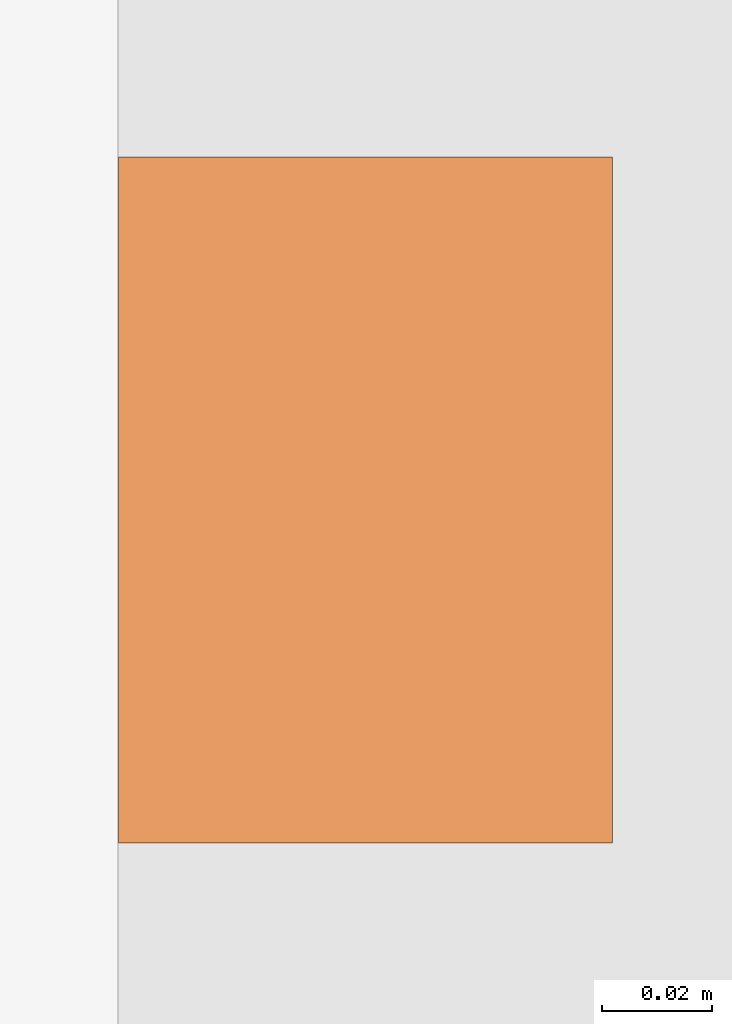
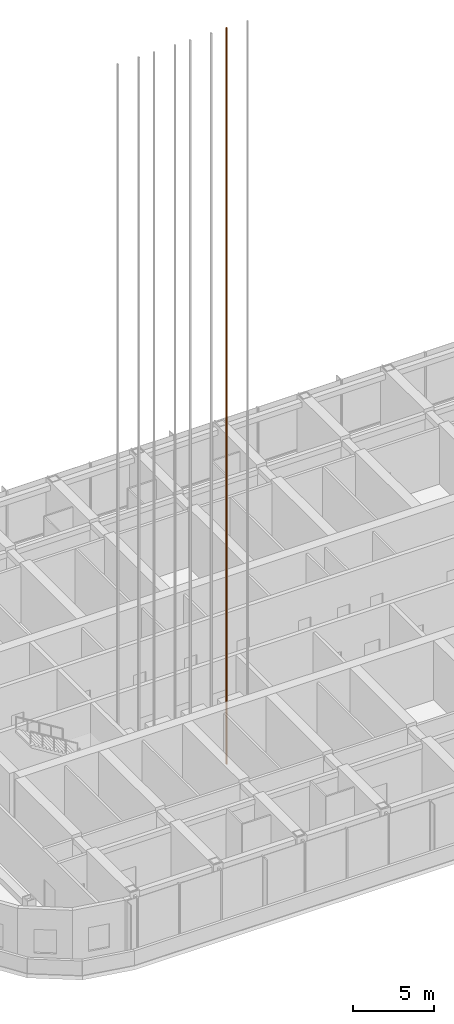
# One storey, part 34 of 35: 1 proxy.
"""IFC4 building model written with IfcOpenShell, lengths in metres."""

from ifc_helpers import new_model, si_unit, direction, frame, origin, origin_2d, place, context, subcontext, project, spatial, rectangle, extrude, material, element, save


model = new_model("IFC4")

# Units and contexts
model_context = context("Model", 3, precision=1e-05, world=origin(), true_north=direction((0.0, 1.0)))
body_context = subcontext(model_context, "Body", "Model", "MODEL_VIEW")
ifc_project = project(units=[si_unit("LENGTHUNIT", "METRE"), si_unit("AREAUNIT", "SQUARE_METRE"), si_unit("VOLUMEUNIT", "CUBIC_METRE"), si_unit("PLANEANGLEUNIT", "RADIAN"), si_unit("MASSUNIT", "GRAM", prefix="KILO")], contexts=[model_context])

# Site, building, storey
site_placement = place(None, origin())
site = spatial("IfcSite", under=ifc_project, at=site_placement, CompositionType="ELEMENT")
building_placement = place(site_placement, origin())
building = spatial("IfcBuilding", under=site, at=building_placement, Name="Orbita Commons", CompositionType="ELEMENT")
storey_placement = place(building_placement, frame((0.0, 0.0, 208.300048828125)))
storey = spatial("IfcBuildingStorey", under=building, at=storey_placement, Name="L51", CompositionType="ELEMENT", Elevation=208.300048828125)

# Proxy
ifc_material = material(Name="Machined steel guide rail", Category="steel")
placement = place(storey_placement, frame((35.10009765625, 28.10009765625, 0.0), z_axis=(0.0, 0.0, 1.0), x_axis=(1.0, 0.0, 0.0)))
proxy_placement = place(placement, frame((-0.7548828125, 0.0, -1.800048828125)))
element("IfcBuildingElementProxy", 1, at=proxy_placement, inside=storey, material=ifc_material, Name="P44 guide rail 1", ObjectType="GUIDE RAIL", PredefinedType="USERDEFINED", context=body_context, shape_type="SweptSolid", body=[
    extrude(rectangle(XDim=0.09, YDim=0.125, at=origin_2d()), origin(), (0.0, 0.0, 1.0), 55.800048828125),
])

save(model, "model.ifc")
